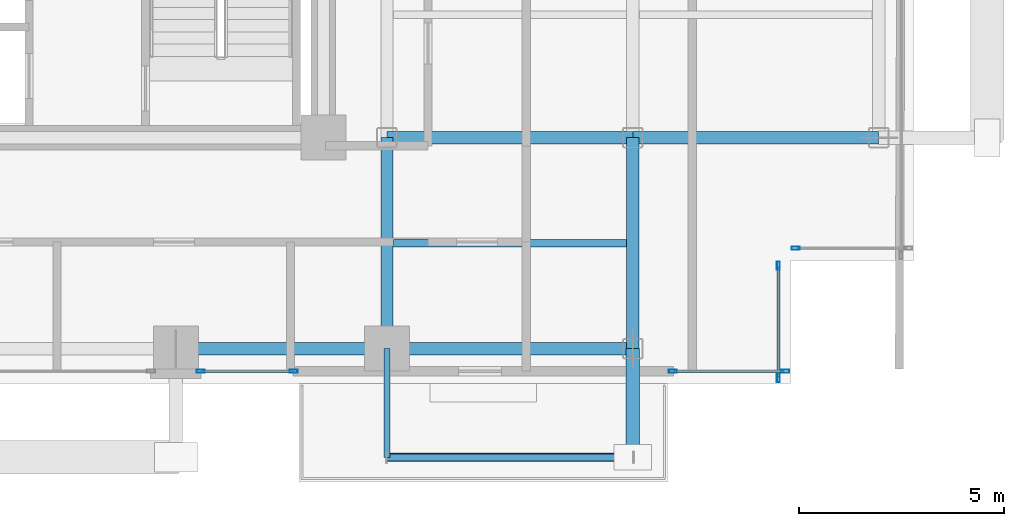
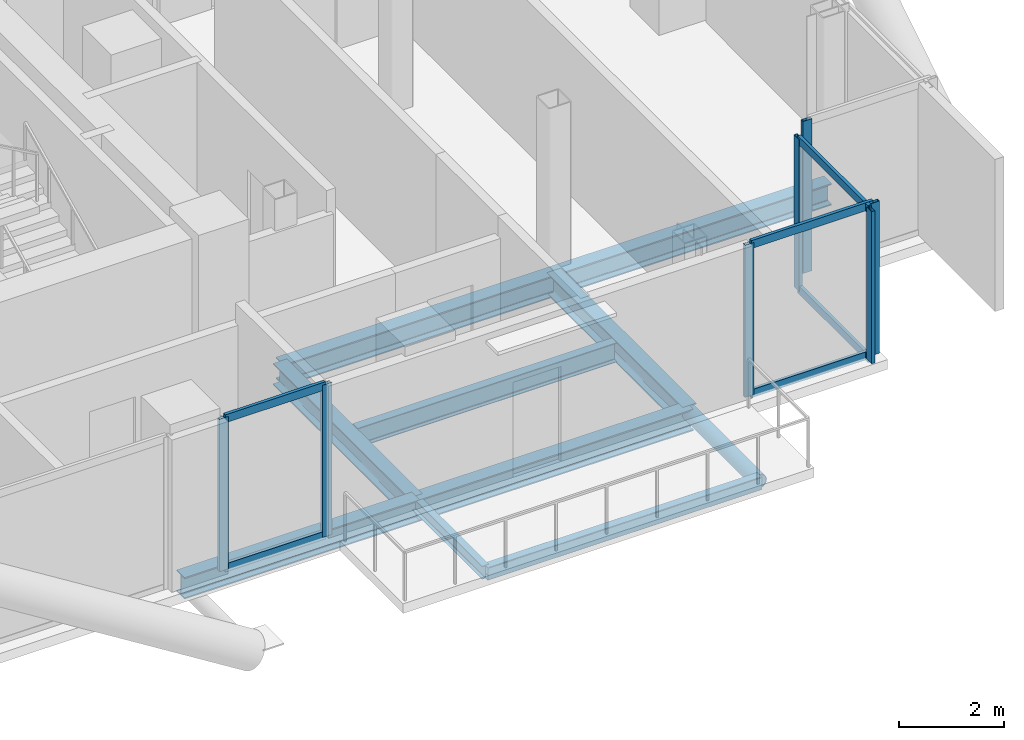
# One storey, part 10 of 28: 14 members, 9 beams, 4 elements without a shape of their own.
"""IFC4 building model written with IfcOpenShell, lengths in metres."""

from ifc_helpers import new_model, si_unit, direction, frame, origin, origin_2d, place, context, subcontext, project, spatial, hollow_rectangle, hollow_circle, i_section, extrude, material, layer, layer_set, material_profile, profile_set, type_object, element, aggregate, save


model = new_model("IFC4")

# Units and contexts
model_context = context("Model", 3, precision=1e-05, world=origin(), true_north=direction((0.0, 1.0)))
body_context = subcontext(model_context, "Body", "Model", "MODEL_VIEW")
ifc_project = project(units=[si_unit("LENGTHUNIT", "METRE"), si_unit("AREAUNIT", "SQUARE_METRE"), si_unit("VOLUMEUNIT", "CUBIC_METRE"), si_unit("PLANEANGLEUNIT", "RADIAN"), si_unit("MASSUNIT", "GRAM", prefix="KILO"), si_unit("THERMODYNAMICTEMPERATUREUNIT", "KELVIN"), si_unit("POWERUNIT", "WATT")], contexts=[model_context])

# Site, building, storey
site_placement = place(None, origin())
site = spatial("IfcSite", under=ifc_project, at=site_placement, CompositionType="ELEMENT")
building_placement = place(site_placement, origin())
building = spatial("IfcBuilding", under=site, at=building_placement, Name="Svarakhadi Broadcast Tower", CompositionType="ELEMENT")
storey_placement = place(building_placement, frame((0.0, 0.0, 119.39990234375)))
storey = spatial("IfcBuildingStorey", under=building, at=storey_placement, Name="L28", CompositionType="ELEMENT", Elevation=119.39990234375)

# Beam
ifc_material_1 = material(Name="Steel S355J2 (IS 2062 E350C)", Category="steel")
ifc_material_profile_1 = material_profile(ifc_material_1, i_section(OverallWidth=0.18994140625, OverallDepth=0.449951171875, WebThickness=0.009521484375, FlangeThickness=0.0146484375, FilletRadius=0.02099609375, at=origin_2d()), Name="NPB 450x190x78")
ifc_profile_set_1 = profile_set([ifc_material_profile_1], Name="Steel S355J2 (IS 2062 E350C)")
beam_type_1 = type_object("IfcBeamType", Name="Beam_NPB450", PredefinedType="BEAM", material=ifc_profile_set_1)
beam_1_placement = place(storey_placement, frame((35.31005859375, 3.425048828125, -0.449951171875), z_axis=(1.0, 0.0, 0.0), x_axis=(0.0, 1.0, 0.0)))
element("IfcBeam", 1, at=beam_1_placement, inside=storey, type_object=beam_type_1, Name="L28 Secondary Composite Beam SB019", PredefinedType="BEAM", context=body_context, shape_type="SweptSolid", body=[
    extrude(i_section(OverallWidth=0.18994140625, OverallDepth=0.449951171875, WebThickness=0.009521484375, FlangeThickness=0.0146484375, FilletRadius=0.02099609375, at=origin_2d()), origin(), (0.0, 0.0, 1.0), 5.679931640625),
])

# Curtain wall, member
ifc_material_2 = material(Name="Anodised Bronze Aluminium AA 6063-T6", Category="aluminium")
ifc_layer = layer(ifc_material_2, 0.199951171875)
ifc_layer_set = layer_set([ifc_layer], Name="Anodised Bronze Aluminium AA 6063-T6")
curtain_wall_type = type_object("IfcCurtainWallType", Name="CW_Sys_03", PredefinedType="NOTDEFINED", material=ifc_layer_set)
curtain_wall_1_placement = place(storey_placement, origin())
curtain_wall_1 = element("IfcCurtainWall", 2, at=curtain_wall_1_placement, inside=storey, type_object=curtain_wall_type, Name="L28 Unitised Facade Curtain Wall 14", PredefinedType="NOTDEFINED")
ifc_material_profile_2 = material_profile(ifc_material_2, hollow_rectangle(XDim=0.074951171875, YDim=0.199951171875, WallThickness=0.005615234375, at=origin_2d()), Name="ALU MULLION 200x75x6")
ifc_profile_set_2 = profile_set([ifc_material_profile_2], Name="Anodised Bronze Aluminium AA 6063-T6")
member_type_1 = type_object("IfcMemberType", Name="CW_Sys_03_Mul", PredefinedType="MULLION", material=ifc_profile_set_2)
member_1_placement = place(storey_placement, frame((45.12744140625, 3.300048828125, 0.0), z_axis=(0.0, 0.0, 1.0), x_axis=(0.0, -1.0, 0.0)))
member_1 = element("IfcMember", 3, at=member_1_placement, type_object=member_type_1, Name="CW-03 mullion 2", PredefinedType="MULLION", context=body_context, shape_type="SweptSolid", body=[
    extrude(hollow_rectangle(XDim=0.074951171875, YDim=0.199951171875, WallThickness=0.005615234375, at=origin_2d()), origin(), (0.0, 0.0, 1.0), 3.525146484375),
])
aggregate(curtain_wall_1, [member_1])

# Curtain wall, members
curtain_wall_2_placement = place(storey_placement, origin())
curtain_wall_2 = element("IfcCurtainWall", 4, at=curtain_wall_2_placement, inside=storey, type_object=curtain_wall_type, Name="L28 Unitised Facade Curtain Wall 15", PredefinedType="NOTDEFINED")
member_2_placement = place(storey_placement, frame((44.699951171875, 2.87255859375, 0.0), z_axis=(0.0, 0.0, 1.0), x_axis=(1.0, 0.0, 0.0)))
member_2 = element("IfcMember", 5, at=member_2_placement, type_object=member_type_1, Name="CW-03 mullion 1", PredefinedType="MULLION", context=body_context, shape_type="SweptSolid", body=[
    extrude(hollow_rectangle(XDim=0.074951171875, YDim=0.199951171875, WallThickness=0.005615234375, at=origin_2d()), origin(), (0.0, 0.0, 1.0), 3.525146484375),
])
member_3_placement = place(storey_placement, frame((44.699951171875, 0.12744140625, 0.0), z_axis=(0.0, 0.0, 1.0), x_axis=(1.0, 0.0, 0.0)))
member_3 = element("IfcMember", 6, at=member_3_placement, type_object=member_type_1, Name="CW-03 mullion 2", PredefinedType="MULLION", context=body_context, shape_type="SweptSolid", body=[
    extrude(hollow_rectangle(XDim=0.074951171875, YDim=0.199951171875, WallThickness=0.005615234375, at=origin_2d()), origin(), (0.0, 0.0, 1.0), 3.525146484375),
])

curtain_wall_3_placement = place(storey_placement, origin())
curtain_wall_3 = element("IfcCurtainWall", 7, at=curtain_wall_3_placement, inside=storey, type_object=curtain_wall_type, Name="L28 South Curtain Wall 16", PredefinedType="NOTDEFINED")
member_4_placement = place(storey_placement, frame((44.87255859375, 0.300048828125, 0.0), z_axis=(0.0, 0.0, 1.0), x_axis=(0.0, -1.0, 0.0)))
member_4 = element("IfcMember", 8, at=member_4_placement, type_object=member_type_1, Name="CW-03 mullion 1", PredefinedType="MULLION", context=body_context, shape_type="SweptSolid", body=[
    extrude(hollow_rectangle(XDim=0.074951171875, YDim=0.199951171875, WallThickness=0.005615234375, at=origin_2d()), origin(), (0.0, 0.0, 1.0), 3.525146484375),
])
member_5_placement = place(storey_placement, frame((42.12744140625, 0.300048828125, 0.0), z_axis=(0.0, 0.0, 1.0), x_axis=(0.0, -1.0, 0.0)))
member_5 = element("IfcMember", 9, at=member_5_placement, type_object=member_type_1, Name="CW-03 mullion 2", PredefinedType="MULLION", context=body_context, shape_type="SweptSolid", body=[
    extrude(hollow_rectangle(XDim=0.074951171875, YDim=0.199951171875, WallThickness=0.005615234375, at=origin_2d()), origin(), (0.0, 0.0, 1.0), 3.525146484375),
])

curtain_wall_4_placement = place(storey_placement, origin())
curtain_wall_4 = element("IfcCurtainWall", 10, at=curtain_wall_4_placement, inside=storey, type_object=curtain_wall_type, Name="L28 South Curtain Wall 17 Bay 1", PredefinedType="NOTDEFINED")
member_6_placement = place(storey_placement, frame((32.87255859375, 0.300048828125, 0.0), z_axis=(0.0, 0.0, 1.0), x_axis=(0.0, -1.0, 0.0)))
member_6 = element("IfcMember", 11, at=member_6_placement, type_object=member_type_1, Name="CW-03 mullion 1", PredefinedType="MULLION", context=body_context, shape_type="SweptSolid", body=[
    extrude(hollow_rectangle(XDim=0.074951171875, YDim=0.199951171875, WallThickness=0.005615234375, at=origin_2d()), origin(), (0.0, 0.0, 1.0), 3.525146484375),
])
member_7_placement = place(storey_placement, frame((30.607421875, 0.300048828125, 0.0), z_axis=(0.0, 0.0, 1.0), x_axis=(0.0, -1.0, 0.0)))
member_7 = element("IfcMember", 12, at=member_7_placement, type_object=member_type_1, Name="CW-03 mullion 2", PredefinedType="MULLION", context=body_context, shape_type="SweptSolid", body=[
    extrude(hollow_rectangle(XDim=0.074951171875, YDim=0.199951171875, WallThickness=0.005615234375, at=origin_2d()), origin(), (0.0, 0.0, 1.0), 3.525146484375),
])

# Member
ifc_material_profile_3 = material_profile(ifc_material_2, hollow_rectangle(XDim=0.070068359375, YDim=0.18505859375, WallThickness=0.0048828125, at=origin_2d()), Name="ALU TRANSOM 185x70x5")
ifc_profile_set_3 = profile_set([ifc_material_profile_3], Name="Anodised Bronze Aluminium AA 6063-T6")
member_type_2 = type_object("IfcMemberType", Name="CW_Sys_03_Trn", PredefinedType="USERDEFINED", material=ifc_profile_set_3)
member_8_placement = place(storey_placement, frame((44.699951171875, 2.8349609375, 0.03515625), z_axis=(0.0, -1.0, 0.0), x_axis=(1.0, 0.0, 0.0)))
member_8 = element("IfcMember", 13, at=member_8_placement, type_object=member_type_2, Name="CW-03 transom 1.1", ObjectType="TRANSOM", PredefinedType="USERDEFINED", context=body_context, shape_type="SweptSolid", body=[
    extrude(hollow_rectangle(XDim=0.070068359375, YDim=0.18505859375, WallThickness=0.0048828125, at=origin_2d()), origin(), (0.0, 0.0, 1.0), 2.669921875),
])

member_9_placement = place(storey_placement, frame((44.699951171875, 2.8349609375, 3.489990234375), z_axis=(0.0, -1.0, 0.0), x_axis=(1.0, 0.0, 0.0)))
member_9 = element("IfcMember", 14, at=member_9_placement, type_object=member_type_2, Name="CW-03 transom 1.2", ObjectType="TRANSOM", PredefinedType="USERDEFINED", context=body_context, shape_type="SweptSolid", body=[
    extrude(hollow_rectangle(XDim=0.070068359375, YDim=0.18505859375, WallThickness=0.0048828125, at=origin_2d()), origin(), (0.0, 0.0, 1.0), 2.669921875),
])

aggregate(curtain_wall_2, [member_2, member_3, member_8, member_9])

member_10_placement = place(storey_placement, frame((44.8349609375, 0.300048828125, 0.03515625), z_axis=(-1.0, 0.0, 0.0), x_axis=(0.0, -1.0, 0.0)))
member_10 = element("IfcMember", 15, at=member_10_placement, type_object=member_type_2, Name="CW-03 transom 1.1", ObjectType="TRANSOM", PredefinedType="USERDEFINED", context=body_context, shape_type="SweptSolid", body=[
    extrude(hollow_rectangle(XDim=0.070068359375, YDim=0.18505859375, WallThickness=0.0048828125, at=origin_2d()), origin(), (0.0, 0.0, 1.0), 2.669921875),
])

member_11_placement = place(storey_placement, frame((44.8349609375, 0.300048828125, 3.489990234375), z_axis=(-1.0, 0.0, 0.0), x_axis=(0.0, -1.0, 0.0)))
member_11 = element("IfcMember", 16, at=member_11_placement, type_object=member_type_2, Name="CW-03 transom 1.2", ObjectType="TRANSOM", PredefinedType="USERDEFINED", context=body_context, shape_type="SweptSolid", body=[
    extrude(hollow_rectangle(XDim=0.070068359375, YDim=0.18505859375, WallThickness=0.0048828125, at=origin_2d()), origin(), (0.0, 0.0, 1.0), 2.669921875),
])

aggregate(curtain_wall_3, [member_4, member_5, member_10, member_11])

member_12_placement = place(storey_placement, frame((32.8349609375, 0.300048828125, 0.03515625), z_axis=(-1.0, 0.0, 0.0), x_axis=(0.0, -1.0, 0.0)))
member_12 = element("IfcMember", 17, at=member_12_placement, type_object=member_type_2, Name="CW-03 transom 1.1", ObjectType="TRANSOM", PredefinedType="USERDEFINED", context=body_context, shape_type="SweptSolid", body=[
    extrude(hollow_rectangle(XDim=0.070068359375, YDim=0.18505859375, WallThickness=0.0048828125, at=origin_2d()), origin(), (0.0, 0.0, 1.0), 2.18994140625),
])

member_13_placement = place(storey_placement, frame((32.8349609375, 0.300048828125, 3.489990234375), z_axis=(-1.0, 0.0, 0.0), x_axis=(0.0, -1.0, 0.0)))
member_13 = element("IfcMember", 18, at=member_13_placement, type_object=member_type_2, Name="CW-03 transom 1.2", ObjectType="TRANSOM", PredefinedType="USERDEFINED", context=body_context, shape_type="SweptSolid", body=[
    extrude(hollow_rectangle(XDim=0.070068359375, YDim=0.18505859375, WallThickness=0.0048828125, at=origin_2d()), origin(), (0.0, 0.0, 1.0), 2.18994140625),
])

aggregate(curtain_wall_4, [member_6, member_7, member_12, member_13])

ifc_material_3 = material(Name="Steel S460ML (IS 2062 E450BR)", Category="steel")
ifc_material_profile_4 = material_profile(ifc_material_3, hollow_circle(Radius=0.161865234375, WallThickness=0.01611328125, at=origin_2d()), Name="CHS 323.9x16")
ifc_profile_set_4 = profile_set([ifc_material_profile_4], Name="Steel S460ML (IS 2062 E450BR)")
member_type_3 = type_object("IfcMemberType", Name="Exo_Radial_Strut_Z2", PredefinedType="STRUT", material=ifc_profile_set_4)
member_14_placement = place(storey_placement, frame((41.14990234375, -1.800048828125, -0.386962890625), z_axis=(0.0, 1.0, 0.0), x_axis=(-1.0, 0.0, 0.0)))
element("IfcMember", 19, at=member_14_placement, inside=storey, type_object=member_type_3, Name="L28 Exoskeleton Radial Tie Strut S04", PredefinedType="STRUT", context=body_context, shape_type="SweptSolid", body=[
    extrude(hollow_circle(Radius=0.161865234375, WallThickness=0.01611328125, at=origin_2d()), origin(), (0.0, 0.0, 1.0), 2.650146484375),
])

# Beams
ifc_material_profile_5 = material_profile(ifc_material_1, i_section(OverallWidth=0.300048828125, OverallDepth=0.5, WebThickness=0.014404296875, FlangeThickness=0.028076171875, FilletRadius=0.027099609375, at=origin_2d()), Name="WPB 500x300x187")
ifc_profile_set_5 = profile_set([ifc_material_profile_5], Name="Steel S355J2 (IS 2062 E350C)")
beam_type_2 = type_object("IfcBeamType", Name="Girder_WPB500", PredefinedType="USERDEFINED", material=ifc_profile_set_5)
beam_2_placement = place(storey_placement, frame((30.0, 0.85009765625, -0.474853515625), z_axis=(1.0, 0.0, 0.0), x_axis=(0.0, 1.0, 0.0)))
element("IfcBeam", 20, at=beam_2_placement, inside=storey, type_object=beam_type_2, Name="L28 Primary E-W Girder G008", ObjectType="GIRDER", PredefinedType="USERDEFINED", context=body_context, shape_type="SweptSolid", body=[
    extrude(i_section(OverallWidth=0.300048828125, OverallDepth=0.5, WebThickness=0.014404296875, FlangeThickness=0.028076171875, FilletRadius=0.027099609375, at=origin_2d()), origin(), (0.0, 0.0, 1.0), 5.14990234375),
])
for number, where, z_axis, x_axis, name in (
    (21, (35.14990234375, 0.85009765625, -0.474853515625), (1.0, 0.0, 0.0), (0.0, 1.0, 0.0), "L28 Primary E-W Girder G009"),
    (22, (35.14990234375, 6.0, -0.474853515625), (1.0, 0.0, 0.0), (0.0, 1.0, 0.0), "L28 Primary E-W Girder G015"),
    (23, (41.14990234375, 6.0, -0.474853515625), (1.0, 0.0, 0.0), (0.0, 1.0, 0.0), "L28 Primary E-W Girder G016"),
):
    element("IfcBeam", number, at=place(storey_placement, frame(where, z_axis=z_axis, x_axis=x_axis)), inside=storey, type_object=beam_type_2, Name=name, ObjectType="GIRDER", PredefinedType="USERDEFINED", context=body_context, shape_type="SweptSolid", body=[
        extrude(i_section(OverallWidth=0.300048828125, OverallDepth=0.5, WebThickness=0.014404296875, FlangeThickness=0.028076171875, FilletRadius=0.027099609375, at=origin_2d()), origin(), (0.0, 0.0, 1.0), 6.0),
    ])
for number, where, z_axis, x_axis, name in (
    (24, (35.14990234375, 0.85009765625, -0.474853515625), (0.0, 1.0, 0.0), (-1.0, 0.0, 0.0), "L28 Primary N-S Girder G067"),
    (25, (41.14990234375, 0.85009765625, -0.474853515625), (0.0, 1.0, 0.0), (-1.0, 0.0, 0.0), "L28 Primary N-S Girder G070"),
):
    element("IfcBeam", number, at=place(storey_placement, frame(where, z_axis=z_axis, x_axis=x_axis)), inside=storey, type_object=beam_type_2, Name=name, ObjectType="GIRDER", PredefinedType="USERDEFINED", context=body_context, shape_type="SweptSolid", body=[
        extrude(i_section(OverallWidth=0.300048828125, OverallDepth=0.5, WebThickness=0.014404296875, FlangeThickness=0.028076171875, FilletRadius=0.027099609375, at=origin_2d()), origin(), (0.0, 0.0, 1.0), 5.14990234375),
    ])
ifc_material_profile_6 = material_profile(ifc_material_1, i_section(OverallWidth=0.14990234375, OverallDepth=0.300048828125, WebThickness=0.007080078125, FlangeThickness=0.0107421875, FilletRadius=0.014892578125, at=origin_2d()), Name="NPB 300x150x37")
ifc_profile_set_6 = profile_set([ifc_material_profile_6], Name="Steel S355J2 (IS 2062 E350C)")
beam_type_3 = type_object("IfcBeamType", Name="Spandrel_NPB300", PredefinedType="SPANDREL", material=ifc_profile_set_6)
beam_3_placement = place(storey_placement, frame((35.14990234375, 0.85009765625, -0.375), z_axis=(0.0, -1.0, 0.0), x_axis=(1.0, 0.0, 0.0)))
element("IfcBeam", 26, at=beam_3_placement, inside=storey, type_object=beam_type_3, Name="L28 Balcony Cantilever Bracket 1A", PredefinedType="SPANDREL", context=body_context, shape_type="SweptSolid", body=[
    extrude(i_section(OverallWidth=0.14990234375, OverallDepth=0.300048828125, WebThickness=0.007080078125, FlangeThickness=0.0107421875, FilletRadius=0.014892578125, at=origin_2d()), origin(), (0.0, 0.0, 1.0), 2.650146484375),
])
ifc_material_profile_7 = material_profile(ifc_material_3, hollow_rectangle(XDim=0.199951171875, YDim=0.300048828125, WallThickness=0.012451171875, InnerFilletRadius=0.012451171875, OuterFilletRadius=0.02490234375, at=origin_2d()), Name="RHS 300x200x12.5")
ifc_profile_set_7 = profile_set([ifc_material_profile_7], Name="Steel S460ML (IS 2062 E450BR)")
beam_type_4 = type_object("IfcBeamType", Name="Spandrel_RHS300", PredefinedType="SPANDREL", material=ifc_profile_set_7)
beam_4_placement = place(storey_placement, frame((35.14990234375, -1.800048828125, -0.375), z_axis=(1.0, 0.0, 0.0), x_axis=(0.0, 1.0, 0.0)))
element("IfcBeam", 27, at=beam_4_placement, inside=storey, type_object=beam_type_4, Name="L28 Balcony Outer Spandrel 1F", PredefinedType="SPANDREL", context=body_context, shape_type="SweptSolid", body=[
    extrude(hollow_rectangle(XDim=0.199951171875, YDim=0.300048828125, WallThickness=0.012451171875, InnerFilletRadius=0.012451171875, OuterFilletRadius=0.02490234375, at=origin_2d()), origin(), (0.0, 0.0, 1.0), 6.0),
])

save(model, "model.ifc")
